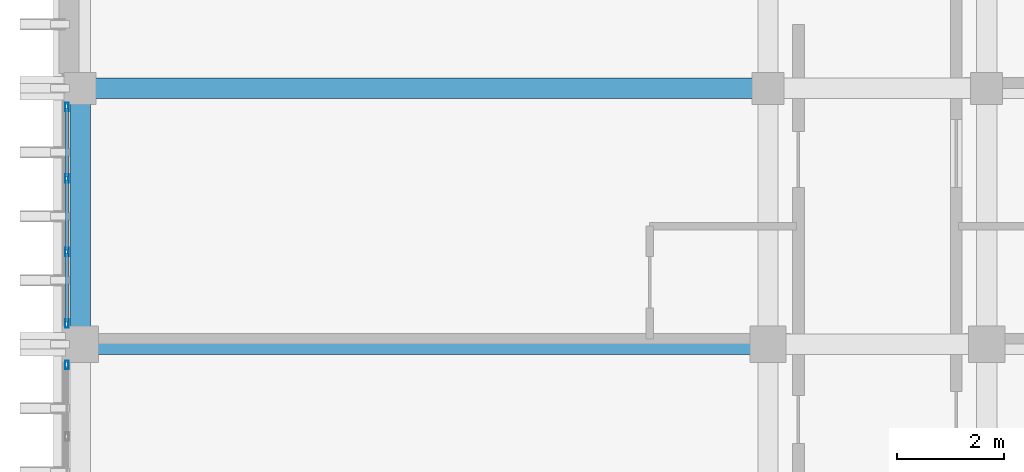
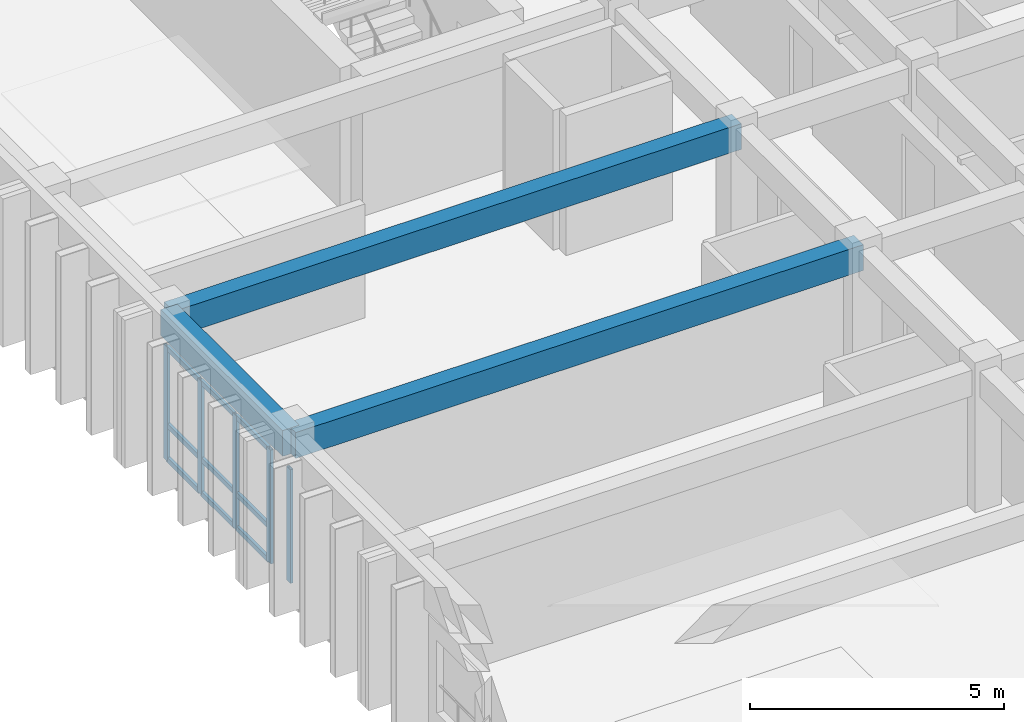
# One storey, part 9 of 53: 14 members, 3 beams, 2 elements without a shape of their own.
"""IFC4 building model written with IfcOpenShell, lengths in metres."""

from ifc_helpers import new_model, si_unit, direction, frame, origin, origin_2d, place, context, subcontext, project, spatial, rectangle, hollow_rectangle, extrude, material, layer, layer_set, material_profile, profile_set, type_object, element, aggregate, save


model = new_model("IFC4")

# Units and contexts
model_context = context("Model", 3, precision=1e-05, world=origin(), true_north=direction((0.0, 1.0)))
body_context = subcontext(model_context, "Body", "Model", "MODEL_VIEW")
ifc_project = project(units=[si_unit("LENGTHUNIT", "METRE"), si_unit("AREAUNIT", "SQUARE_METRE"), si_unit("VOLUMEUNIT", "CUBIC_METRE"), si_unit("PLANEANGLEUNIT", "RADIAN"), si_unit("MASSUNIT", "GRAM", prefix="KILO")], contexts=[model_context])

# Site, building, storey
site_placement = place(None, origin())
site = spatial("IfcSite", under=ifc_project, at=site_placement, CompositionType="ELEMENT")
building_placement = place(site_placement, origin())
building = spatial("IfcBuilding", under=site, at=building_placement, Name="Nakhvara Creek Congress Hotel", CompositionType="ELEMENT")
storey_placement = place(building_placement, frame((0.0, 0.0, 35.39990234375)))
storey = spatial("IfcBuildingStorey", under=building, at=storey_placement, Name="L08", CompositionType="ELEMENT", Elevation=35.39990234375)

# Beams
ifc_material_1 = material(Name="Concrete C40/50", Category="concrete")
ifc_material_profile_1 = material_profile(ifc_material_1, rectangle(XDim=0.3798828125, YDim=0.6201171875, at=origin_2d()), Name="RC-BM 380x620", Category="LoadBearing")
ifc_profile_set_1 = profile_set([ifc_material_profile_1], Name="Concrete C40/50")
beam_type = type_object("IfcBeamType", Name="BM-RC-380X620", PredefinedType="BEAM", material=ifc_profile_set_1)
beam_1_placement = place(storey_placement, frame((149.449951171875, 67.199951171875, 3.050048828125), z_axis=(1.0, 0.0, 0.0), x_axis=(0.0, 1.0, 0.0)))
element("IfcBeam", 1, at=beam_1_placement, inside=storey, type_object=beam_type, Name="Beam B10-L08-2432", PredefinedType="BEAM", context=body_context, shape_type="SweptSolid", body=[
    extrude(rectangle(XDim=0.3798828125, YDim=0.6201171875, at=origin_2d()), origin(), (0.0, 0.0, 1.0), 12.900146484375),
])
beam_2_placement = place(storey_placement, frame((149.449951171875, 67.199951171875, 3.050048828125), z_axis=(0.0, 1.0, 0.0), x_axis=(-1.0, 0.0, 0.0)))
element("IfcBeam", 2, at=beam_2_placement, inside=storey, type_object=beam_type, Name="Beam B10-L08-2434", PredefinedType="BEAM", context=body_context, shape_type="SweptSolid", body=[
    extrude(rectangle(XDim=0.3798828125, YDim=0.6201171875, at=origin_2d()), origin(), (0.0, 0.0, 1.0), 4.800048828125),
])
beam_3_placement = place(storey_placement, frame((149.449951171875, 72.0, 3.050048828125), z_axis=(1.0, 0.0, 0.0), x_axis=(0.0, 1.0, 0.0)))
element("IfcBeam", 3, at=beam_3_placement, inside=storey, type_object=beam_type, Name="Beam B10-L08-2513", PredefinedType="BEAM", context=body_context, shape_type="SweptSolid", body=[
    extrude(rectangle(XDim=0.3798828125, YDim=0.6201171875, at=origin_2d()), origin(), (0.0, 0.0, 1.0), 12.900146484375),
])

# Curtain wall, member
ifc_material_2 = material(Name="Bronze-anodised aluminium AW-6063-T6 and double-silver low-E glass", Category="aluminium")
ifc_layer = layer(ifc_material_2, 0.199951171875)
ifc_layer_set = layer_set([ifc_layer], Name="Bronze-anodised aluminium AW-6063-T6 and double-silver low-E glass")
curtain_wall_type = type_object("IfcCurtainWallType", Name="CW-HTL-UNIT", PredefinedType="USERDEFINED", material=ifc_layer_set)
curtain_wall_1_placement = place(storey_placement, origin())
curtain_wall_1 = element("IfcCurtainWall", 4, at=curtain_wall_1_placement, inside=storey, type_object=curtain_wall_type, Name="Curtain Wall CW278", ObjectType="UNITISED", PredefinedType="USERDEFINED")
ifc_material_3 = material(Name="Bronze-anodised aluminium AW-6063-T6", Category="aluminium")
ifc_material_profile_2 = material_profile(ifc_material_3, hollow_rectangle(XDim=0.06494140625, YDim=0.159912109375, WallThickness=0.00390625, at=origin_2d()), Name="ALU-MULL 65x160x4", Category="LoadBearing")
ifc_profile_set_2 = profile_set([ifc_material_profile_2], Name="Bronze-anodised aluminium AW-6063-T6")
member_type_1 = type_object("IfcMemberType", Name="CW-MULL-160", PredefinedType="MULLION", material=ifc_profile_set_2)
member_1_placement = place(storey_placement, frame((149.199951171875, 66.8125, 0.0), z_axis=(0.0, 0.0, 1.0), x_axis=(-1.0, 0.0, 0.0)))
member_1 = element("IfcMember", 5, at=member_1_placement, type_object=member_type_1, Name="CW278 mullion 4", PredefinedType="MULLION", context=body_context, shape_type="SweptSolid", body=[
    extrude(hollow_rectangle(XDim=0.06494140625, YDim=0.159912109375, WallThickness=0.00390625, at=origin_2d()), origin(), (0.0, 0.0, 1.0), 2.732177734375),
])
aggregate(curtain_wall_1, [member_1])

# Curtain wall, members
curtain_wall_2_placement = place(storey_placement, origin())
curtain_wall_2 = element("IfcCurtainWall", 6, at=curtain_wall_2_placement, inside=storey, type_object=curtain_wall_type, Name="Curtain Wall CW280", ObjectType="UNITISED", PredefinedType="USERDEFINED")
member_2_placement = place(storey_placement, frame((149.199951171875, 67.58740234375, 0.0), z_axis=(0.0, 0.0, 1.0), x_axis=(-1.0, 0.0, 0.0)))
member_2 = element("IfcMember", 7, at=member_2_placement, type_object=member_type_1, Name="CW280 mullion 1", PredefinedType="MULLION", context=body_context, shape_type="SweptSolid", body=[
    extrude(hollow_rectangle(XDim=0.06494140625, YDim=0.159912109375, WallThickness=0.00390625, at=origin_2d()), origin(), (0.0, 0.0, 1.0), 2.732177734375),
])
member_3_placement = place(storey_placement, frame((149.199951171875, 68.931640625, 0.0), z_axis=(0.0, 0.0, 1.0), x_axis=(-1.0, 0.0, 0.0)))
member_3 = element("IfcMember", 8, at=member_3_placement, type_object=member_type_1, Name="CW280 mullion 2", PredefinedType="MULLION", context=body_context, shape_type="SweptSolid", body=[
    extrude(hollow_rectangle(XDim=0.06494140625, YDim=0.159912109375, WallThickness=0.00390625, at=origin_2d()), origin(), (0.0, 0.0, 1.0), 2.732177734375),
])
member_4_placement = place(storey_placement, frame((149.199951171875, 70.308349609375, 0.0), z_axis=(0.0, 0.0, 1.0), x_axis=(-1.0, 0.0, 0.0)))
member_4 = element("IfcMember", 9, at=member_4_placement, type_object=member_type_1, Name="CW280 mullion 3", PredefinedType="MULLION", context=body_context, shape_type="SweptSolid", body=[
    extrude(hollow_rectangle(XDim=0.06494140625, YDim=0.159912109375, WallThickness=0.00390625, at=origin_2d()), origin(), (0.0, 0.0, 1.0), 2.732177734375),
])
member_5_placement = place(storey_placement, frame((149.199951171875, 71.652587890625, 0.0), z_axis=(0.0, 0.0, 1.0), x_axis=(-1.0, 0.0, 0.0)))
member_5 = element("IfcMember", 10, at=member_5_placement, type_object=member_type_1, Name="CW280 mullion 4", PredefinedType="MULLION", context=body_context, shape_type="SweptSolid", body=[
    extrude(hollow_rectangle(XDim=0.06494140625, YDim=0.159912109375, WallThickness=0.00390625, at=origin_2d()), origin(), (0.0, 0.0, 1.0), 2.732177734375),
])
ifc_material_profile_3 = material_profile(ifc_material_3, hollow_rectangle(XDim=0.06494140625, YDim=0.1201171875, WallThickness=0.00390625, at=origin_2d()), Name="ALU-TRAN 65x120x4", Category="LoadBearing")
ifc_profile_set_3 = profile_set([ifc_material_profile_3], Name="Bronze-anodised aluminium AW-6063-T6")
member_type_2 = type_object("IfcMemberType", Name="CW-TRAN-120", PredefinedType="USERDEFINED", material=ifc_profile_set_3)
member_6_placement = place(storey_placement, frame((149.199951171875, 67.6201171875, 0.03271484375), z_axis=(0.0, 1.0, 0.0), x_axis=(-1.0, 0.0, 0.0)))
member_6 = element("IfcMember", 11, at=member_6_placement, type_object=member_type_2, Name="CW280 transom 1.1", ObjectType="TRANSOM", PredefinedType="USERDEFINED", context=body_context, shape_type="SweptSolid", body=[
    extrude(hollow_rectangle(XDim=0.06494140625, YDim=0.1201171875, WallThickness=0.00390625, at=origin_2d()), origin(), (0.0, 0.0, 1.0), 1.279052734375),
])
member_7_placement = place(storey_placement, frame((149.199951171875, 67.6201171875, 0.85009765625), z_axis=(0.0, 1.0, 0.0), x_axis=(-1.0, 0.0, 0.0)))
member_7 = element("IfcMember", 12, at=member_7_placement, type_object=member_type_2, Name="CW280 transom 1.2", ObjectType="TRANSOM", PredefinedType="USERDEFINED", context=body_context, shape_type="SweptSolid", body=[
    extrude(hollow_rectangle(XDim=0.06494140625, YDim=0.1201171875, WallThickness=0.00390625, at=origin_2d()), origin(), (0.0, 0.0, 1.0), 1.279052734375),
])
member_8_placement = place(storey_placement, frame((149.199951171875, 67.6201171875, 2.69970703125), z_axis=(0.0, 1.0, 0.0), x_axis=(-1.0, 0.0, 0.0)))
member_8 = element("IfcMember", 13, at=member_8_placement, type_object=member_type_2, Name="CW280 transom 1.3", ObjectType="TRANSOM", PredefinedType="USERDEFINED", context=body_context, shape_type="SweptSolid", body=[
    extrude(hollow_rectangle(XDim=0.06494140625, YDim=0.1201171875, WallThickness=0.00390625, at=origin_2d()), origin(), (0.0, 0.0, 1.0), 1.279052734375),
])
member_9_placement = place(storey_placement, frame((149.199951171875, 68.964111328125, 0.03271484375), z_axis=(0.0, 1.0, 0.0), x_axis=(-1.0, 0.0, 0.0)))
member_9 = element("IfcMember", 14, at=member_9_placement, type_object=member_type_2, Name="CW280 transom 2.1", ObjectType="TRANSOM", PredefinedType="USERDEFINED", context=body_context, shape_type="SweptSolid", body=[
    extrude(hollow_rectangle(XDim=0.06494140625, YDim=0.1201171875, WallThickness=0.00390625, at=origin_2d()), origin(), (0.0, 0.0, 1.0), 1.311767578125),
])
member_10_placement = place(storey_placement, frame((149.199951171875, 68.964111328125, 0.85009765625), z_axis=(0.0, 1.0, 0.0), x_axis=(-1.0, 0.0, 0.0)))
member_10 = element("IfcMember", 15, at=member_10_placement, type_object=member_type_2, Name="CW280 transom 2.2", ObjectType="TRANSOM", PredefinedType="USERDEFINED", context=body_context, shape_type="SweptSolid", body=[
    extrude(hollow_rectangle(XDim=0.06494140625, YDim=0.1201171875, WallThickness=0.00390625, at=origin_2d()), origin(), (0.0, 0.0, 1.0), 1.311767578125),
])
member_11_placement = place(storey_placement, frame((149.199951171875, 68.964111328125, 2.69970703125), z_axis=(0.0, 1.0, 0.0), x_axis=(-1.0, 0.0, 0.0)))
member_11 = element("IfcMember", 16, at=member_11_placement, type_object=member_type_2, Name="CW280 transom 2.3", ObjectType="TRANSOM", PredefinedType="USERDEFINED", context=body_context, shape_type="SweptSolid", body=[
    extrude(hollow_rectangle(XDim=0.06494140625, YDim=0.1201171875, WallThickness=0.00390625, at=origin_2d()), origin(), (0.0, 0.0, 1.0), 1.311767578125),
])
member_12_placement = place(storey_placement, frame((149.199951171875, 70.3408203125, 0.03271484375), z_axis=(0.0, 1.0, 0.0), x_axis=(-1.0, 0.0, 0.0)))
member_12 = element("IfcMember", 17, at=member_12_placement, type_object=member_type_2, Name="CW280 transom 3.1", ObjectType="TRANSOM", PredefinedType="USERDEFINED", context=body_context, shape_type="SweptSolid", body=[
    extrude(hollow_rectangle(XDim=0.06494140625, YDim=0.1201171875, WallThickness=0.00390625, at=origin_2d()), origin(), (0.0, 0.0, 1.0), 1.279296875),
])
member_13_placement = place(storey_placement, frame((149.199951171875, 70.3408203125, 0.85009765625), z_axis=(0.0, 1.0, 0.0), x_axis=(-1.0, 0.0, 0.0)))
member_13 = element("IfcMember", 18, at=member_13_placement, type_object=member_type_2, Name="CW280 transom 3.2", ObjectType="TRANSOM", PredefinedType="USERDEFINED", context=body_context, shape_type="SweptSolid", body=[
    extrude(hollow_rectangle(XDim=0.06494140625, YDim=0.1201171875, WallThickness=0.00390625, at=origin_2d()), origin(), (0.0, 0.0, 1.0), 1.279296875),
])
member_14_placement = place(storey_placement, frame((149.199951171875, 70.3408203125, 2.69970703125), z_axis=(0.0, 1.0, 0.0), x_axis=(-1.0, 0.0, 0.0)))
member_14 = element("IfcMember", 19, at=member_14_placement, type_object=member_type_2, Name="CW280 transom 3.3", ObjectType="TRANSOM", PredefinedType="USERDEFINED", context=body_context, shape_type="SweptSolid", body=[
    extrude(hollow_rectangle(XDim=0.06494140625, YDim=0.1201171875, WallThickness=0.00390625, at=origin_2d()), origin(), (0.0, 0.0, 1.0), 1.279296875),
])
aggregate(curtain_wall_2, [member_2, member_3, member_4, member_5, member_6, member_7, member_8, member_9, member_10, member_11, member_12, member_13, member_14])

save(model, "model.ifc")
